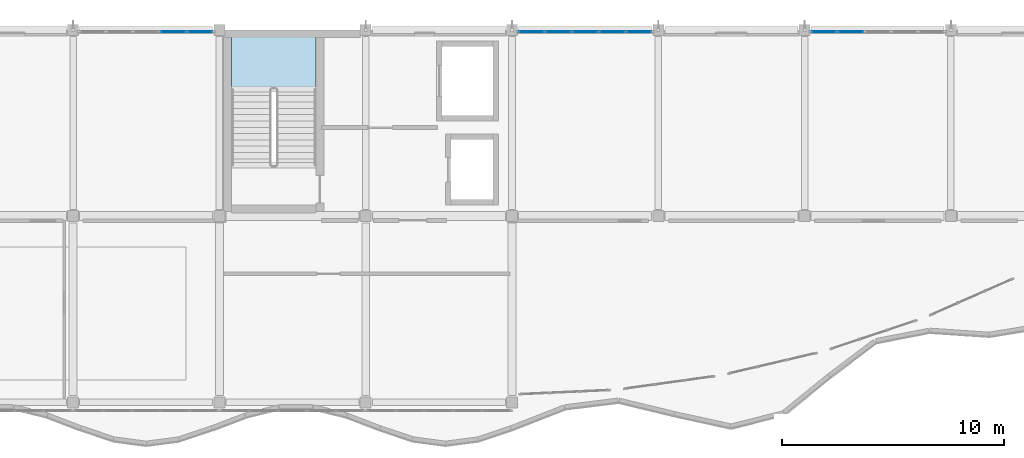
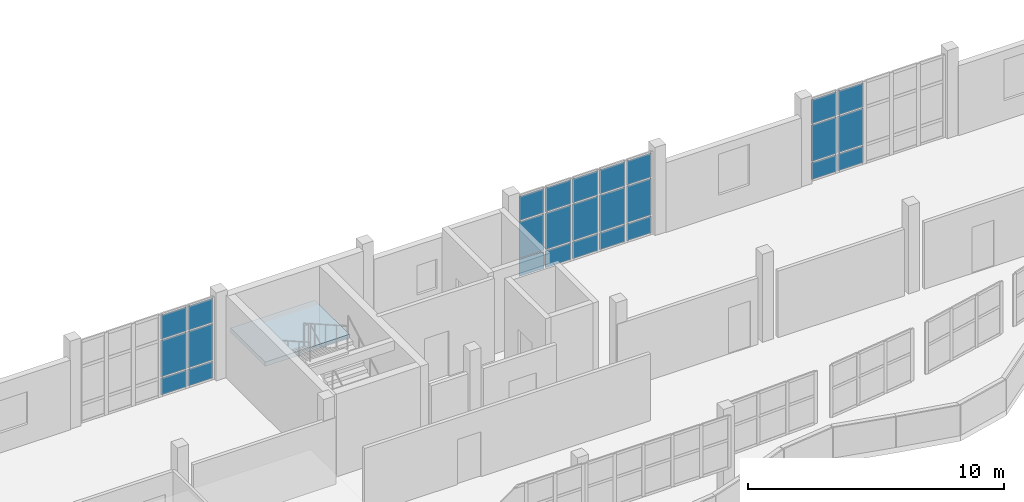
# One storey, part 49 of 78: 27 plates, 1 slab, 4 elements without a shape of their own.
"""IFC4 building model written with IfcOpenShell, lengths in metres."""

from ifc_helpers import new_model, si_unit, direction, frame, origin, origin_2d, place, context, subcontext, project, spatial, polyline, rectangle, outline, extrude, material, layer, layer_set, type_object, element, aggregate, save


model = new_model("IFC4")

# Units and contexts
model_context = context("Model", 3, precision=1e-05, world=origin(), true_north=direction((0.0, 1.0)))
body_context = subcontext(model_context, "Body", "Model", "MODEL_VIEW")
ifc_project = project(units=[si_unit("LENGTHUNIT", "METRE"), si_unit("AREAUNIT", "SQUARE_METRE"), si_unit("VOLUMEUNIT", "CUBIC_METRE"), si_unit("PLANEANGLEUNIT", "RADIAN"), si_unit("MASSUNIT", "GRAM", prefix="KILO")], contexts=[model_context])

# Site, building, storey
site_placement = place(None, origin())
site = spatial("IfcSite", under=ifc_project, at=site_placement, CompositionType="ELEMENT")
building_placement = place(site_placement, origin())
building = spatial("IfcBuilding", under=site, at=building_placement, Name="Qaldarim Faculty of Natural and Applied Sciences", CompositionType="ELEMENT")
storey_placement = place(building_placement, frame((0.0, 0.0, 18.60009765625)))
storey = spatial("IfcBuildingStorey", under=building, at=storey_placement, Name="L04", CompositionType="ELEMENT", Elevation=18.60009765625)

# Curtain wall, plates
ifc_material_1 = material(Name="Anodised aluminium AW-6063", Category="aluminium")
curtain_wall_type = type_object("IfcCurtainWallType", Name="CurtainWallSystem-M1200", PredefinedType="USERDEFINED", material=ifc_material_1)
curtain_wall_1_placement = place(storey_placement, origin())
curtain_wall_1 = element("IfcCurtainWall", 1, at=curtain_wall_1_placement, inside=storey, type_object=curtain_wall_type, Name="Curtain wall CW-L04-N-X15Y14", ObjectType="STICK CURTAIN WALL", PredefinedType="USERDEFINED")
ifc_material_2 = material(Name="Insulated low-e double glazing", Category="glass")
ifc_layer_1 = layer(ifc_material_2, 0.031982421875)
ifc_layer_set_1 = layer_set([ifc_layer_1], Name="Insulated low-e double glazing")
plate_type = type_object("IfcPlateType", Name="SolarControlGlazingPanel-32", PredefinedType="CURTAIN_PANEL", material=ifc_layer_set_1)
plate_1_placement = place(storey_placement, frame((98.12646484375, 117.52001953125, 0.06982421875), z_axis=(0.0, 0.0, 1.0), x_axis=(-1.0, 0.0, 0.0)))
plate_1 = element("IfcPlate", 2, at=plate_1_placement, type_object=plate_type, Name="Glazed panel 1-1 of CW-L04-N-X15Y14", PredefinedType="CURTAIN_PANEL", context=body_context, shape_type="SweptSolid", body=[
    extrude(rectangle(XDim=1.116943359375, YDim=0.031982421875, at=origin_2d()), origin(), (0.0, 0.0, 1.0), 0.794921875),
])
plate_2_placement = place(storey_placement, frame((98.12646484375, 117.52001953125, 0.934814453125), z_axis=(0.0, 0.0, 1.0), x_axis=(-1.0, 0.0, 0.0)))
plate_2 = element("IfcPlate", 3, at=plate_2_placement, type_object=plate_type, Name="Glazed panel 1-2 of CW-L04-N-X15Y14", PredefinedType="CURTAIN_PANEL", context=body_context, shape_type="SweptSolid", body=[
    extrude(rectangle(XDim=1.116943359375, YDim=0.031982421875, at=origin_2d()), origin(), (0.0, 0.0, 1.0), 1.72998046875),
])
plate_3_placement = place(storey_placement, frame((98.12646484375, 117.52001953125, 2.73486328125), z_axis=(0.0, 0.0, 1.0), x_axis=(-1.0, 0.0, 0.0)))
plate_3 = element("IfcPlate", 4, at=plate_3_placement, type_object=plate_type, Name="Glazed panel 1-3 of CW-L04-N-X15Y14", PredefinedType="CURTAIN_PANEL", context=body_context, shape_type="SweptSolid", body=[
    extrude(rectangle(XDim=1.116943359375, YDim=0.031982421875, at=origin_2d()), origin(), (0.0, 0.0, 1.0), 1.135009765625),
])
plate_4_placement = place(storey_placement, frame((96.922119140625, 117.52001953125, 0.06982421875), z_axis=(0.0, 0.0, 1.0), x_axis=(-1.0, 0.0, 0.0)))
plate_4 = element("IfcPlate", 5, at=plate_4_placement, type_object=plate_type, Name="Glazed panel 2-1 of CW-L04-N-X15Y14", PredefinedType="CURTAIN_PANEL", context=body_context, shape_type="SweptSolid", body=[
    extrude(rectangle(XDim=1.152099609375, YDim=0.031982421875, at=origin_2d()), origin(), (0.0, 0.0, 1.0), 0.794921875),
])
plate_5_placement = place(storey_placement, frame((96.922119140625, 117.52001953125, 0.934814453125), z_axis=(0.0, 0.0, 1.0), x_axis=(-1.0, 0.0, 0.0)))
plate_5 = element("IfcPlate", 6, at=plate_5_placement, type_object=plate_type, Name="Glazed panel 2-2 of CW-L04-N-X15Y14", PredefinedType="CURTAIN_PANEL", context=body_context, shape_type="SweptSolid", body=[
    extrude(rectangle(XDim=1.152099609375, YDim=0.031982421875, at=origin_2d()), origin(), (0.0, 0.0, 1.0), 1.72998046875),
])
plate_6_placement = place(storey_placement, frame((96.922119140625, 117.52001953125, 2.73486328125), z_axis=(0.0, 0.0, 1.0), x_axis=(-1.0, 0.0, 0.0)))
plate_6 = element("IfcPlate", 7, at=plate_6_placement, type_object=plate_type, Name="Glazed panel 2-3 of CW-L04-N-X15Y14", PredefinedType="CURTAIN_PANEL", context=body_context, shape_type="SweptSolid", body=[
    extrude(rectangle(XDim=1.152099609375, YDim=0.031982421875, at=origin_2d()), origin(), (0.0, 0.0, 1.0), 1.135009765625),
])
aggregate(curtain_wall_1, [plate_1, plate_2, plate_3, plate_4, plate_5, plate_6])

curtain_wall_2_placement = place(storey_placement, origin())
curtain_wall_2 = element("IfcCurtainWall", 8, at=curtain_wall_2_placement, inside=storey, type_object=curtain_wall_type, Name="Curtain wall CW-L04-N-X18Y14", ObjectType="STICK CURTAIN WALL", PredefinedType="USERDEFINED")
plate_7_placement = place(storey_placement, frame((117.926513671875, 117.52001953125, 0.06982421875), z_axis=(0.0, 0.0, 1.0), x_axis=(-1.0, 0.0, 0.0)))
plate_7 = element("IfcPlate", 9, at=plate_7_placement, type_object=plate_type, Name="Glazed panel 1-1 of CW-L04-N-X18Y14", PredefinedType="CURTAIN_PANEL", context=body_context, shape_type="SweptSolid", body=[
    extrude(rectangle(XDim=1.116943359375, YDim=0.031982421875, at=origin_2d()), origin(), (0.0, 0.0, 1.0), 0.794921875),
])
plate_8_placement = place(storey_placement, frame((117.926513671875, 117.52001953125, 0.934814453125), z_axis=(0.0, 0.0, 1.0), x_axis=(-1.0, 0.0, 0.0)))
plate_8 = element("IfcPlate", 10, at=plate_8_placement, type_object=plate_type, Name="Glazed panel 1-2 of CW-L04-N-X18Y14", PredefinedType="CURTAIN_PANEL", context=body_context, shape_type="SweptSolid", body=[
    extrude(rectangle(XDim=1.116943359375, YDim=0.031982421875, at=origin_2d()), origin(), (0.0, 0.0, 1.0), 1.72998046875),
])
plate_9_placement = place(storey_placement, frame((117.926513671875, 117.52001953125, 2.73486328125), z_axis=(0.0, 0.0, 1.0), x_axis=(-1.0, 0.0, 0.0)))
plate_9 = element("IfcPlate", 11, at=plate_9_placement, type_object=plate_type, Name="Glazed panel 1-3 of CW-L04-N-X18Y14", PredefinedType="CURTAIN_PANEL", context=body_context, shape_type="SweptSolid", body=[
    extrude(rectangle(XDim=1.116943359375, YDim=0.031982421875, at=origin_2d()), origin(), (0.0, 0.0, 1.0), 1.135009765625),
])
plate_10_placement = place(storey_placement, frame((116.721923828125, 117.52001953125, 0.06982421875), z_axis=(0.0, 0.0, 1.0), x_axis=(-1.0, 0.0, 0.0)))
plate_10 = element("IfcPlate", 12, at=plate_10_placement, type_object=plate_type, Name="Glazed panel 2-1 of CW-L04-N-X18Y14", PredefinedType="CURTAIN_PANEL", context=body_context, shape_type="SweptSolid", body=[
    extrude(rectangle(XDim=1.152099609375, YDim=0.031982421875, at=origin_2d()), origin(), (0.0, 0.0, 1.0), 0.794921875),
])
plate_11_placement = place(storey_placement, frame((116.721923828125, 117.52001953125, 0.934814453125), z_axis=(0.0, 0.0, 1.0), x_axis=(-1.0, 0.0, 0.0)))
plate_11 = element("IfcPlate", 13, at=plate_11_placement, type_object=plate_type, Name="Glazed panel 2-2 of CW-L04-N-X18Y14", PredefinedType="CURTAIN_PANEL", context=body_context, shape_type="SweptSolid", body=[
    extrude(rectangle(XDim=1.152099609375, YDim=0.031982421875, at=origin_2d()), origin(), (0.0, 0.0, 1.0), 1.72998046875),
])
plate_12_placement = place(storey_placement, frame((116.721923828125, 117.52001953125, 2.73486328125), z_axis=(0.0, 0.0, 1.0), x_axis=(-1.0, 0.0, 0.0)))
plate_12 = element("IfcPlate", 14, at=plate_12_placement, type_object=plate_type, Name="Glazed panel 2-3 of CW-L04-N-X18Y14", PredefinedType="CURTAIN_PANEL", context=body_context, shape_type="SweptSolid", body=[
    extrude(rectangle(XDim=1.152099609375, YDim=0.031982421875, at=origin_2d()), origin(), (0.0, 0.0, 1.0), 1.135009765625),
])
plate_13_placement = place(storey_placement, frame((115.5, 117.52001953125, 0.06982421875), z_axis=(0.0, 0.0, 1.0), x_axis=(-1.0, 0.0, 0.0)))
plate_13 = element("IfcPlate", 15, at=plate_13_placement, type_object=plate_type, Name="Glazed panel 3-1 of CW-L04-N-X18Y14", PredefinedType="CURTAIN_PANEL", context=body_context, shape_type="SweptSolid", body=[
    extrude(rectangle(XDim=1.152099609375, YDim=0.031982421875, at=origin_2d()), origin(), (0.0, 0.0, 1.0), 0.794921875),
])
plate_14_placement = place(storey_placement, frame((115.5, 117.52001953125, 0.934814453125), z_axis=(0.0, 0.0, 1.0), x_axis=(-1.0, 0.0, 0.0)))
plate_14 = element("IfcPlate", 16, at=plate_14_placement, type_object=plate_type, Name="Glazed panel 3-2 of CW-L04-N-X18Y14", PredefinedType="CURTAIN_PANEL", context=body_context, shape_type="SweptSolid", body=[
    extrude(rectangle(XDim=1.152099609375, YDim=0.031982421875, at=origin_2d()), origin(), (0.0, 0.0, 1.0), 1.72998046875),
])
plate_15_placement = place(storey_placement, frame((115.5, 117.52001953125, 2.73486328125), z_axis=(0.0, 0.0, 1.0), x_axis=(-1.0, 0.0, 0.0)))
plate_15 = element("IfcPlate", 17, at=plate_15_placement, type_object=plate_type, Name="Glazed panel 3-3 of CW-L04-N-X18Y14", PredefinedType="CURTAIN_PANEL", context=body_context, shape_type="SweptSolid", body=[
    extrude(rectangle(XDim=1.152099609375, YDim=0.031982421875, at=origin_2d()), origin(), (0.0, 0.0, 1.0), 1.135009765625),
])
plate_16_placement = place(storey_placement, frame((114.278076171875, 117.52001953125, 0.06982421875), z_axis=(0.0, 0.0, 1.0), x_axis=(-1.0, 0.0, 0.0)))
plate_16 = element("IfcPlate", 18, at=plate_16_placement, type_object=plate_type, Name="Glazed panel 4-1 of CW-L04-N-X18Y14", PredefinedType="CURTAIN_PANEL", context=body_context, shape_type="SweptSolid", body=[
    extrude(rectangle(XDim=1.152099609375, YDim=0.031982421875, at=origin_2d()), origin(), (0.0, 0.0, 1.0), 0.794921875),
])
plate_17_placement = place(storey_placement, frame((114.278076171875, 117.52001953125, 0.934814453125), z_axis=(0.0, 0.0, 1.0), x_axis=(-1.0, 0.0, 0.0)))
plate_17 = element("IfcPlate", 19, at=plate_17_placement, type_object=plate_type, Name="Glazed panel 4-2 of CW-L04-N-X18Y14", PredefinedType="CURTAIN_PANEL", context=body_context, shape_type="SweptSolid", body=[
    extrude(rectangle(XDim=1.152099609375, YDim=0.031982421875, at=origin_2d()), origin(), (0.0, 0.0, 1.0), 1.72998046875),
])
plate_18_placement = place(storey_placement, frame((114.278076171875, 117.52001953125, 2.73486328125), z_axis=(0.0, 0.0, 1.0), x_axis=(-1.0, 0.0, 0.0)))
plate_18 = element("IfcPlate", 20, at=plate_18_placement, type_object=plate_type, Name="Glazed panel 4-3 of CW-L04-N-X18Y14", PredefinedType="CURTAIN_PANEL", context=body_context, shape_type="SweptSolid", body=[
    extrude(rectangle(XDim=1.152099609375, YDim=0.031982421875, at=origin_2d()), origin(), (0.0, 0.0, 1.0), 1.135009765625),
])
plate_19_placement = place(storey_placement, frame((113.073486328125, 117.52001953125, 0.06982421875), z_axis=(0.0, 0.0, 1.0), x_axis=(-1.0, 0.0, 0.0)))
plate_19 = element("IfcPlate", 21, at=plate_19_placement, type_object=plate_type, Name="Glazed panel 5-1 of CW-L04-N-X18Y14", PredefinedType="CURTAIN_PANEL", context=body_context, shape_type="SweptSolid", body=[
    extrude(rectangle(XDim=1.116943359375, YDim=0.031982421875, at=origin_2d()), origin(), (0.0, 0.0, 1.0), 0.794921875),
])
plate_20_placement = place(storey_placement, frame((113.073486328125, 117.52001953125, 0.934814453125), z_axis=(0.0, 0.0, 1.0), x_axis=(-1.0, 0.0, 0.0)))
plate_20 = element("IfcPlate", 22, at=plate_20_placement, type_object=plate_type, Name="Glazed panel 5-2 of CW-L04-N-X18Y14", PredefinedType="CURTAIN_PANEL", context=body_context, shape_type="SweptSolid", body=[
    extrude(rectangle(XDim=1.116943359375, YDim=0.031982421875, at=origin_2d()), origin(), (0.0, 0.0, 1.0), 1.72998046875),
])
plate_21_placement = place(storey_placement, frame((113.073486328125, 117.52001953125, 2.73486328125), z_axis=(0.0, 0.0, 1.0), x_axis=(-1.0, 0.0, 0.0)))
plate_21 = element("IfcPlate", 23, at=plate_21_placement, type_object=plate_type, Name="Glazed panel 5-3 of CW-L04-N-X18Y14", PredefinedType="CURTAIN_PANEL", context=body_context, shape_type="SweptSolid", body=[
    extrude(rectangle(XDim=1.116943359375, YDim=0.031982421875, at=origin_2d()), origin(), (0.0, 0.0, 1.0), 1.135009765625),
])
aggregate(curtain_wall_2, [plate_7, plate_8, plate_9, plate_10, plate_11, plate_12, plate_13, plate_14, plate_15, plate_16, plate_17, plate_18, plate_19, plate_20, plate_21])

curtain_wall_3_placement = place(storey_placement, origin())
curtain_wall_3 = element("IfcCurtainWall", 24, at=curtain_wall_3_placement, inside=storey, type_object=curtain_wall_type, Name="Curtain wall CW-L04-N-X20Y14", ObjectType="STICK CURTAIN WALL", PredefinedType="USERDEFINED")
plate_22_placement = place(storey_placement, frame((127.47802734375, 117.52001953125, 0.06982421875), z_axis=(0.0, 0.0, 1.0), x_axis=(-1.0, 0.0, 0.0)))
plate_22 = element("IfcPlate", 25, at=plate_22_placement, type_object=plate_type, Name="Glazed panel 4-1 of CW-L04-N-X20Y14", PredefinedType="CURTAIN_PANEL", context=body_context, shape_type="SweptSolid", body=[
    extrude(rectangle(XDim=1.152099609375, YDim=0.031982421875, at=origin_2d()), origin(), (0.0, 0.0, 1.0), 0.794921875),
])
plate_23_placement = place(storey_placement, frame((127.47802734375, 117.52001953125, 0.934814453125), z_axis=(0.0, 0.0, 1.0), x_axis=(-1.0, 0.0, 0.0)))
plate_23 = element("IfcPlate", 26, at=plate_23_placement, type_object=plate_type, Name="Glazed panel 4-2 of CW-L04-N-X20Y14", PredefinedType="CURTAIN_PANEL", context=body_context, shape_type="SweptSolid", body=[
    extrude(rectangle(XDim=1.152099609375, YDim=0.031982421875, at=origin_2d()), origin(), (0.0, 0.0, 1.0), 1.72998046875),
])
plate_24_placement = place(storey_placement, frame((127.47802734375, 117.52001953125, 2.73486328125), z_axis=(0.0, 0.0, 1.0), x_axis=(-1.0, 0.0, 0.0)))
plate_24 = element("IfcPlate", 27, at=plate_24_placement, type_object=plate_type, Name="Glazed panel 4-3 of CW-L04-N-X20Y14", PredefinedType="CURTAIN_PANEL", context=body_context, shape_type="SweptSolid", body=[
    extrude(rectangle(XDim=1.152099609375, YDim=0.031982421875, at=origin_2d()), origin(), (0.0, 0.0, 1.0), 1.135009765625),
])
plate_25_placement = place(storey_placement, frame((126.2734375, 117.52001953125, 0.06982421875), z_axis=(0.0, 0.0, 1.0), x_axis=(-1.0, 0.0, 0.0)))
plate_25 = element("IfcPlate", 28, at=plate_25_placement, type_object=plate_type, Name="Glazed panel 5-1 of CW-L04-N-X20Y14", PredefinedType="CURTAIN_PANEL", context=body_context, shape_type="SweptSolid", body=[
    extrude(rectangle(XDim=1.116943359375, YDim=0.031982421875, at=origin_2d()), origin(), (0.0, 0.0, 1.0), 0.794921875),
])
plate_26_placement = place(storey_placement, frame((126.2734375, 117.52001953125, 0.934814453125), z_axis=(0.0, 0.0, 1.0), x_axis=(-1.0, 0.0, 0.0)))
plate_26 = element("IfcPlate", 29, at=plate_26_placement, type_object=plate_type, Name="Glazed panel 5-2 of CW-L04-N-X20Y14", PredefinedType="CURTAIN_PANEL", context=body_context, shape_type="SweptSolid", body=[
    extrude(rectangle(XDim=1.116943359375, YDim=0.031982421875, at=origin_2d()), origin(), (0.0, 0.0, 1.0), 1.72998046875),
])
plate_27_placement = place(storey_placement, frame((126.2734375, 117.52001953125, 2.73486328125), z_axis=(0.0, 0.0, 1.0), x_axis=(-1.0, 0.0, 0.0)))
plate_27 = element("IfcPlate", 30, at=plate_27_placement, type_object=plate_type, Name="Glazed panel 5-3 of CW-L04-N-X20Y14", PredefinedType="CURTAIN_PANEL", context=body_context, shape_type="SweptSolid", body=[
    extrude(rectangle(XDim=1.116943359375, YDim=0.031982421875, at=origin_2d()), origin(), (0.0, 0.0, 1.0), 1.135009765625),
])
aggregate(curtain_wall_3, [plate_22, plate_23, plate_24, plate_25, plate_26, plate_27])

# Stair, slab
ifc_material_3 = material(Name="Concrete C40/50", Category="concrete")
stair_type = type_object("IfcStairType", Name="DoglegStair-W1800-H4200-26R", PredefinedType="HALF_TURN_STAIR", material=ifc_material_3)
stair_placement = place(storey_placement, origin())
stair = element("IfcStair", 31, at=stair_placement, inside=storey, type_object=stair_type, Name="Enclosed exit stair ST-B1 L04", PredefinedType="HALF_TURN_STAIR")
ifc_layer_2 = layer(ifc_material_3, 0.2099609375)
ifc_layer_set_2 = layer_set([ifc_layer_2], Name="Concrete C40/50")
slab_type = type_object("IfcSlabType", Name="StairLandingSlab-210", PredefinedType="LANDING", material=ifc_layer_set_2)
slab_placement = place(storey_placement, frame((0.0, 0.0, 1.889892578125)))
slab = element("IfcSlab", 32, at=slab_placement, type_object=slab_type, Name="ST-B1 L04 half-landing 1", PredefinedType="LANDING", context=body_context, shape_type="SweptSolid", body=[
    extrude(outline(polyline([(103.35009765625, 114.905029296875), (103.35009765625, 117.60009765625), (99.550048828125, 117.60009765625), (99.550048828125, 114.905029296875), (103.35009765625, 114.905029296875)])), origin(), (0.0, 0.0, 1.0), 0.2099609375),
])
aggregate(stair, [slab])

save(model, "model.ifc")
